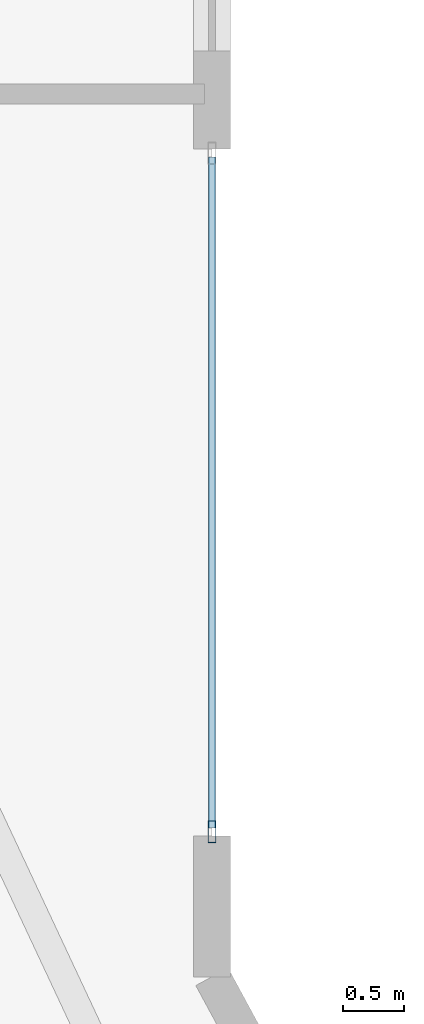
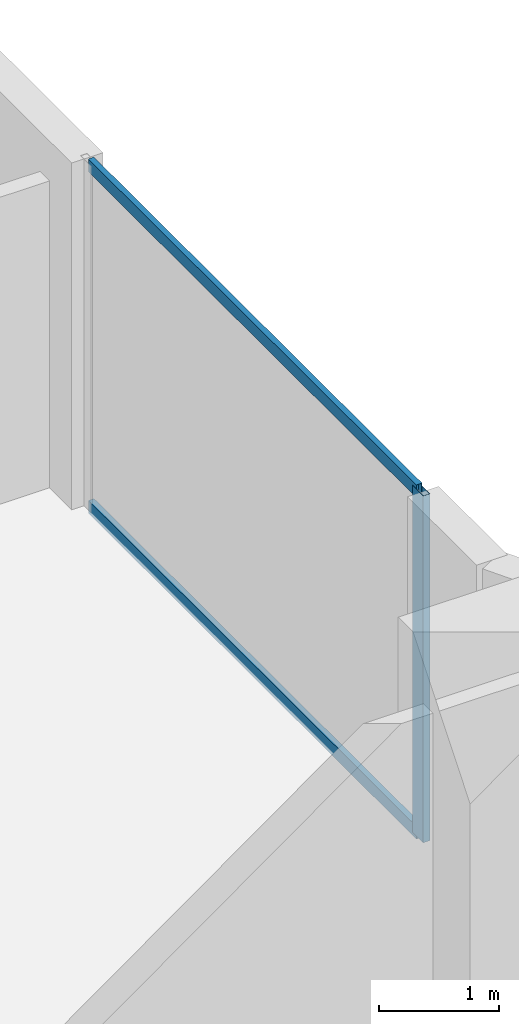
# One storey, part 16 of 33: 3 members, 1 element without a shape of its own.
"""IFC4 building model written with IfcOpenShell, lengths in metres."""

import ifcopenshell
import ifcopenshell.guid

model = None  # the IFC model being written
_history = None  # IfcOwnerHistory: only IFC2X3 demands one
_inside = {}  # id of a spatial element -> (the spatial element, [elements in it])
_under = {}  # id of a project, library or spatial element -> (it, [spatial elements below it])
_declared = {}  # id of a project -> (the project, [libraries it declares])
_typed = {}  # id of a type object -> (the type object, [elements of that type])
_made_of = {}  # id of a material, layer set ... -> (it, [elements and type objects made of it])


def new_model(schema):
    """Start an empty IFC model of exactly this schema.

    Asked for "IFC4X3", IfcOpenShell would pick the latest addendum, in which some entities
    have other attributes; the version numbers below select the first issue.
    IFC2X3 requires an IfcOwnerHistory on every rooted entity: one is made here for all.
    """
    global model, _history
    if schema == "IFC4X3":
        model = ifcopenshell.file(schema_version=(4, 3, 0, 0))
    else:
        model = ifcopenshell.file(schema=schema)
    _inside.clear()
    _under.clear()
    _declared.clear()
    _typed.clear()
    _made_of.clear()
    _history = None
    if model.schema == "IFC2X3":
        org = make("IfcOrganization", Name="unknown")
        user = make(
            "IfcPersonAndOrganization",
            ThePerson=make("IfcPerson", FamilyName="unknown"),
            TheOrganization=org,
        )
        app = make(
            "IfcApplication",
            ApplicationDeveloper=org,
            Version="unknown",
            ApplicationFullName="unknown",
            ApplicationIdentifier="unknown",
        )
        _history = make(
            "IfcOwnerHistory",
            OwningUser=user,
            OwningApplication=app,
            ChangeAction="ADDED",
            CreationDate=0,
        )
    return model


def make(cls, **values):
    """One entity of the class cls with the attributes given. An attribute that is None is left unset."""
    return model.create_entity(
        cls, **{name: value for name, value in values.items() if value is not None}
    )


def rooted(cls, **values):
    """An entity with a GlobalId (a new one), such as an element, a storey or a relation."""
    return make(cls, GlobalId=ifcopenshell.guid.new(), OwnerHistory=_history, **values)


def si_unit(unit_type, name, prefix=None):
    """IfcSIUnit, for example si_unit("LENGTHUNIT", "METRE", prefix="MILLI")."""
    return make("IfcSIUnit", UnitType=unit_type, Prefix=prefix, Name=name)


def assignment(units):
    """IfcUnitAssignment: the units of a project."""
    return None if units is None else make("IfcUnitAssignment", Units=units)


def point(xyz):
    """IfcCartesianPoint."""
    return None if xyz is None else make("IfcCartesianPoint", Coordinates=xyz)


def direction(xyz):
    """IfcDirection."""
    return None if xyz is None else make("IfcDirection", DirectionRatios=xyz)


def frame(location, z_axis=None, x_axis=None):
    """IfcAxis2Placement3D, a coordinate frame: its origin and axes. An axis left out is left unset."""
    return make(
        "IfcAxis2Placement3D",
        Location=point(location),
        Axis=direction(z_axis),
        RefDirection=direction(x_axis),
    )


def frame_2d(location, x_axis=None):
    """IfcAxis2Placement2D, a coordinate frame in the plane: its origin and x axis."""
    return make(
        "IfcAxis2Placement2D", Location=point(location), RefDirection=direction(x_axis)
    )


def origin():
    """The frame at (0, 0, 0) with its axes left unset."""
    return frame((0.0, 0.0, 0.0))


def origin_2d():
    """The frame at (0, 0) in the plane with its x axis left unset."""
    return frame_2d((0.0, 0.0))


def place(relative_to, where):
    """IfcLocalPlacement: puts the frame where relative to a parent placement (None: the world)."""
    return make(
        "IfcLocalPlacement", PlacementRelTo=relative_to, RelativePlacement=where
    )


def context(
    kind, dimensions, precision=None, world=None, true_north=None, identifier=None
):
    """IfcGeometricRepresentationContext, for example the 3D "Model" context."""
    return make(
        "IfcGeometricRepresentationContext",
        ContextIdentifier=identifier,
        ContextType=kind,
        CoordinateSpaceDimension=dimensions,
        Precision=precision,
        WorldCoordinateSystem=world,
        TrueNorth=true_north,
    )


def subcontext(parent, identifier, kind, view, scale=None):
    """IfcGeometricRepresentationSubContext, for example "Body" below "Model"."""
    return make(
        "IfcGeometricRepresentationSubContext",
        ContextIdentifier=identifier,
        ContextType=kind,
        ParentContext=parent,
        TargetScale=scale,
        TargetView=view,
    )


def project(units=None, contexts=None):
    """IfcProject with its units and contexts."""
    return rooted(
        "IfcProject",
        Name="project",
        RepresentationContexts=contexts,
        UnitsInContext=assignment(units),
    )


def spatial(cls, under=None, at=None, **own):
    """A site, building, storey or space (cls), placed at a placement, below another one or the project."""
    s = rooted(cls, ObjectPlacement=at, **own)
    if under is not None:
        _under.setdefault(under.id(), (under, []))[1].append(s)
    return s


def profile(cls, at=None, kind="AREA", **sizes):
    """A parametric profile (cls). Its sizes go by their IFC names, for example OverallWidth=200.0."""
    return make(cls, ProfileType=kind, Position=at, **sizes)


def hollow_rectangle(**sizes):
    """IfcRectangleHollowProfileDef."""
    return profile("IfcRectangleHollowProfileDef", **sizes)


def extrude(swept, where, along, depth):
    """IfcExtrudedAreaSolid: the profile swept, set in the frame where, extruded along a direction by depth."""
    return make(
        "IfcExtrudedAreaSolid",
        SweptArea=swept,
        Position=where,
        ExtrudedDirection=direction(along),
        Depth=depth,
    )


def shape(context_of_items, identifier, shape_type, items):
    """IfcShapeRepresentation: the items that make up one representation, for example the "Body"."""
    return make(
        "IfcShapeRepresentation",
        ContextOfItems=context_of_items,
        RepresentationIdentifier=identifier,
        RepresentationType=shape_type,
        Items=items,
    )


def material(Name=None, Category=None):
    """IfcMaterial."""
    return make("IfcMaterial", Name=Name, Category=Category)


def layer(
    of_material, thickness, ventilated=None, Name=None, Category=None, Priority=None
):
    """IfcMaterialLayer: one layer of a wall or slab, of a material (None: an air gap)."""
    return make(
        "IfcMaterialLayer",
        Material=of_material,
        LayerThickness=thickness,
        IsVentilated=ventilated,
        Name=Name,
        Category=Category,
        Priority=Priority,
    )


def layer_set(layers, Name=None):
    """IfcMaterialLayerSet."""
    return make("IfcMaterialLayerSet", MaterialLayers=layers, LayerSetName=Name)


def material_profile(
    of_material, cross_section, Name=None, Category=None, Priority=None
):
    """IfcMaterialProfile: a cross section and its material."""
    return make(
        "IfcMaterialProfile",
        Name=Name,
        Material=of_material,
        Profile=cross_section,
        Priority=Priority,
        Category=Category,
    )


def profile_set(profiles, Name=None, composite=None):
    """IfcMaterialProfileSet."""
    return make(
        "IfcMaterialProfileSet",
        Name=Name,
        MaterialProfiles=profiles,
        CompositeProfile=composite,
    )


def made_of(thing, what):
    """Note that an element or type object is made of a material, layer set ...; save() writes the relation."""
    if what is not None:
        _made_of.setdefault(what.id(), (what, []))[1].append(thing)
    return thing


def type_object(cls, material=None, **own):
    """A type object (cls), such as IfcWallType, which elements share."""
    return made_of(rooted(cls, **own), material)


def element(
    cls,
    number,
    at=None,
    inside=None,
    cuts=None,
    type_object=None,
    material=None,
    context=None,
    identifier="Body",
    shape_type=None,
    held_by="IfcProductDefinitionShape",
    body=None,
    shapes=None,
    **own,
):
    """One element of the class cls, such as IfcWall. Its Tag is "e" and its number.

    at: its placement. inside: the storey or other place that contains it. cuts: it is an
    opening in that element (IfcRelVoidsElement). A single representation is given by context,
    identifier, shape_type and body (its items); several are given by shapes. held_by: the class
    of the entity that holds the representations. save() writes the other relations.
    """
    e = rooted(cls, Tag="e%d" % number, ObjectPlacement=at, **own)
    if body is not None:
        shapes = [shape(context, identifier, shape_type, body)]
    if shapes is not None:
        e.Representation = make(held_by, Representations=shapes)
    if inside is not None:
        _inside.setdefault(inside.id(), (inside, []))[1].append(e)
    if cuts is not None:
        rooted(
            "IfcRelVoidsElement", RelatingBuildingElement=cuts, RelatedOpeningElement=e
        )
    if type_object is not None:
        _typed.setdefault(type_object.id(), (type_object, []))[1].append(e)
    return made_of(e, material)


def aggregate(whole, parts):
    """IfcRelAggregates: a whole, such as a stair, and the parts it consists of."""
    return rooted("IfcRelAggregates", RelatingObject=whole, RelatedObjects=parts)


def save(model, path):
    """Write the relations noted so far, then the file.

    IfcRelAggregates (storeys below a building ...), IfcRelContainedInSpatialStructure (elements
    in a storey), IfcRelDefinesByType, IfcRelAssociatesMaterial and IfcRelDeclares: one each for
    every whole, place, type object, material and project.
    """
    for whole, parts in _under.values():
        aggregate(whole, parts)
    for where, things in _inside.values():
        rooted(
            "IfcRelContainedInSpatialStructure",
            RelatedElements=things,
            RelatingStructure=where,
        )
    for kind, things in _typed.values():
        rooted("IfcRelDefinesByType", RelatedObjects=things, RelatingType=kind)
    for what, things in _made_of.values():
        rooted("IfcRelAssociatesMaterial", RelatedObjects=things, RelatingMaterial=what)
    for by, libraries in _declared.values():
        rooted("IfcRelDeclares", RelatingContext=by, RelatedDefinitions=libraries)
    model.write(path)


model = new_model("IFC4")

# Units and contexts
model_context = context("Model", 3, precision=1e-05, world=origin(), true_north=direction((0.0, 1.0)))
body_context = subcontext(model_context, "Body", "Model", "MODEL_VIEW")
ifc_project = project(units=[si_unit("LENGTHUNIT", "METRE"), si_unit("AREAUNIT", "SQUARE_METRE"), si_unit("VOLUMEUNIT", "CUBIC_METRE"), si_unit("PLANEANGLEUNIT", "RADIAN"), si_unit("MASSUNIT", "GRAM", prefix="KILO")], contexts=[model_context])

# Site, building, storey
site_placement = place(None, origin())
site = spatial("IfcSite", under=ifc_project, at=site_placement, CompositionType="ELEMENT")
building_placement = place(site_placement, origin())
building = spatial("IfcBuilding", under=site, at=building_placement, Name="Zuhayl Quay Hotel", CompositionType="ELEMENT")
storey_placement = place(building_placement, frame((0.0, 0.0, 199.89990234375)))
storey = spatial("IfcBuildingStorey", under=building, at=storey_placement, Name="L50", CompositionType="ELEMENT", Elevation=199.89990234375)

# Curtain wall, members
ifc_material_1 = material(Name="Anodised Aluminium 6063-T6", Category="aluminium")
ifc_layer = layer(ifc_material_1, 0.175048828125, Name="Anodised Aluminium 6063-T6", Category="aluminium")
ifc_layer_set = layer_set([ifc_layer], Name="Anodised Aluminium 6063-T6")
curtain_wall_type = type_object("IfcCurtainWallType", Name="CW_SYS_Z3", PredefinedType="USERDEFINED", material=ifc_layer_set)
curtain_wall_placement = place(storey_placement, origin())
curtain_wall = element("IfcCurtainWall", 1, at=curtain_wall_placement, inside=storey, type_object=curtain_wall_type, Name="L50 Curtain Wall ENV_L50_E11_CW1", ObjectType="UNITISED CURTAIN WALL", PredefinedType="USERDEFINED")
ifc_material_2 = material(Name="Black-anodised aluminium 6063-T6", Category="aluminium")
ifc_material_profile_1 = material_profile(ifc_material_2, hollow_rectangle(XDim=0.06494140625, YDim=0.179931640625, WallThickness=0.00341796875, at=origin_2d()), Name="ALU180X65")
ifc_profile_set_1 = profile_set([ifc_material_profile_1], Name="Black-anodised aluminium 6063-T6")
member_type_1 = type_object("IfcMemberType", Name="MB_CW_MUL_180", PredefinedType="MULLION", material=ifc_profile_set_1)
member_1_placement = place(storey_placement, frame((22.10009765625, 18.982421875, 0.0), z_axis=(0.0, 0.0, 1.0), x_axis=(1.0, 0.0, 0.0)))
member_1 = element("IfcMember", 2, at=member_1_placement, type_object=member_type_1, Name="CW-Z3 mullion 2", PredefinedType="MULLION", context=body_context, shape_type="SweptSolid", body=[
    extrude(hollow_rectangle(XDim=0.06494140625, YDim=0.179931640625, WallThickness=0.00341796875, at=origin_2d()), origin(), (0.0, 0.0, 1.0), 3.530029296875),
])
ifc_material_profile_2 = material_profile(ifc_material_2, hollow_rectangle(XDim=0.054931640625, YDim=0.1298828125, WallThickness=0.0029296875, at=origin_2d()), Name="ALU130X55")
ifc_profile_set_2 = profile_set([ifc_material_profile_2], Name="Black-anodised aluminium 6063-T6")
member_type_2 = type_object("IfcMemberType", Name="MB_CW_TRN_130", PredefinedType="USERDEFINED", material=ifc_profile_set_2)
member_2_placement = place(storey_placement, frame((22.10009765625, 24.485107421875, 0.027587890625), z_axis=(0.0, -1.0, 0.0), x_axis=(1.0, 0.0, 0.0)))
member_2 = element("IfcMember", 3, at=member_2_placement, type_object=member_type_2, Name="CW-Z3 transom 1.1", ObjectType="TRANSOM", PredefinedType="USERDEFINED", context=body_context, shape_type="SweptSolid", body=[
    extrude(hollow_rectangle(XDim=0.054931640625, YDim=0.1298828125, WallThickness=0.0029296875, at=origin_2d()), origin(), (0.0, 0.0, 1.0), 5.47021484375),
])
member_3_placement = place(storey_placement, frame((22.10009765625, 24.485107421875, 3.502685546875), z_axis=(0.0, -1.0, 0.0), x_axis=(1.0, 0.0, 0.0)))
member_3 = element("IfcMember", 4, at=member_3_placement, type_object=member_type_2, Name="CW-Z3 transom 1.2", ObjectType="TRANSOM", PredefinedType="USERDEFINED", context=body_context, shape_type="SweptSolid", body=[
    extrude(hollow_rectangle(XDim=0.054931640625, YDim=0.1298828125, WallThickness=0.0029296875, at=origin_2d()), origin(), (0.0, 0.0, 1.0), 5.47021484375),
])
aggregate(curtain_wall, [member_1, member_2, member_3])

save(model, "model.ifc")
